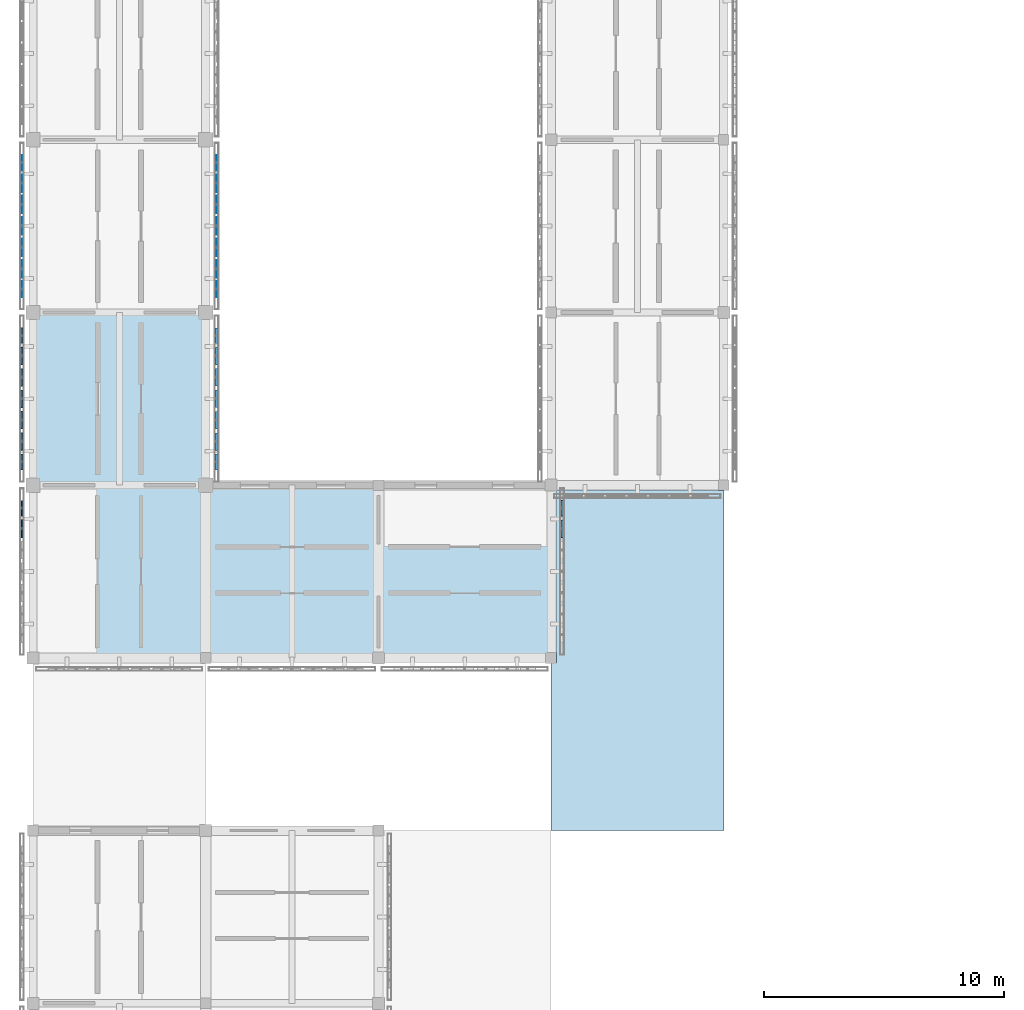
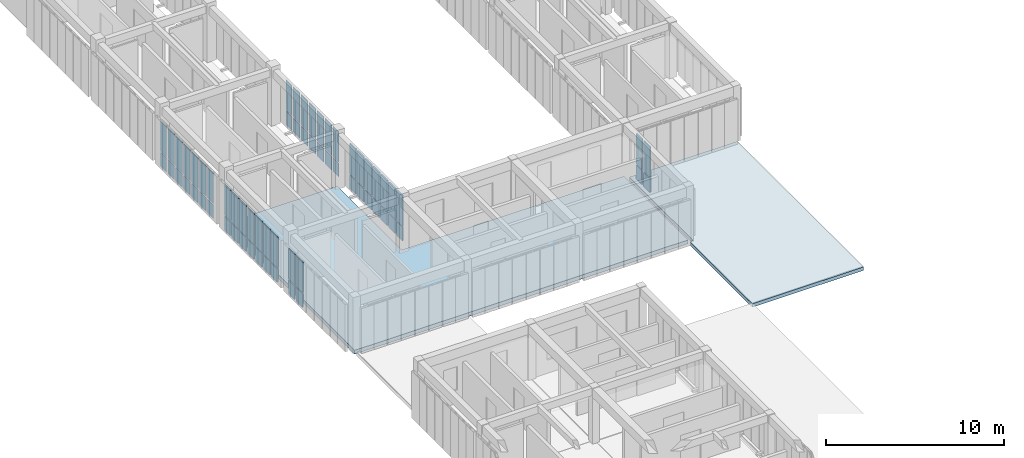
# One storey, part 38 of 67: 64 plates, 2 slabs, 6 elements without a shape of their own.
"""IFC4 building model written with IfcOpenShell, lengths in metres."""

import ifcopenshell
import ifcopenshell.guid

model = None  # the IFC model being written
_history = None  # IfcOwnerHistory: only IFC2X3 demands one
_inside = {}  # id of a spatial element -> (the spatial element, [elements in it])
_under = {}  # id of a project, library or spatial element -> (it, [spatial elements below it])
_declared = {}  # id of a project -> (the project, [libraries it declares])
_typed = {}  # id of a type object -> (the type object, [elements of that type])
_made_of = {}  # id of a material, layer set ... -> (it, [elements and type objects made of it])


def new_model(schema):
    """Start an empty IFC model of exactly this schema.

    Asked for "IFC4X3", IfcOpenShell would pick the latest addendum, in which some entities
    have other attributes; the version numbers below select the first issue.
    IFC2X3 requires an IfcOwnerHistory on every rooted entity: one is made here for all.
    """
    global model, _history
    if schema == "IFC4X3":
        model = ifcopenshell.file(schema_version=(4, 3, 0, 0))
    else:
        model = ifcopenshell.file(schema=schema)
    _inside.clear()
    _under.clear()
    _declared.clear()
    _typed.clear()
    _made_of.clear()
    _history = None
    if model.schema == "IFC2X3":
        org = make("IfcOrganization", Name="unknown")
        user = make(
            "IfcPersonAndOrganization",
            ThePerson=make("IfcPerson", FamilyName="unknown"),
            TheOrganization=org,
        )
        app = make(
            "IfcApplication",
            ApplicationDeveloper=org,
            Version="unknown",
            ApplicationFullName="unknown",
            ApplicationIdentifier="unknown",
        )
        _history = make(
            "IfcOwnerHistory",
            OwningUser=user,
            OwningApplication=app,
            ChangeAction="ADDED",
            CreationDate=0,
        )
    return model


def make(cls, **values):
    """One entity of the class cls with the attributes given. An attribute that is None is left unset."""
    return model.create_entity(
        cls, **{name: value for name, value in values.items() if value is not None}
    )


def rooted(cls, **values):
    """An entity with a GlobalId (a new one), such as an element, a storey or a relation."""
    return make(cls, GlobalId=ifcopenshell.guid.new(), OwnerHistory=_history, **values)


def si_unit(unit_type, name, prefix=None):
    """IfcSIUnit, for example si_unit("LENGTHUNIT", "METRE", prefix="MILLI")."""
    return make("IfcSIUnit", UnitType=unit_type, Prefix=prefix, Name=name)


def assignment(units):
    """IfcUnitAssignment: the units of a project."""
    return None if units is None else make("IfcUnitAssignment", Units=units)


def point(xyz):
    """IfcCartesianPoint."""
    return None if xyz is None else make("IfcCartesianPoint", Coordinates=xyz)


def direction(xyz):
    """IfcDirection."""
    return None if xyz is None else make("IfcDirection", DirectionRatios=xyz)


def frame(location, z_axis=None, x_axis=None):
    """IfcAxis2Placement3D, a coordinate frame: its origin and axes. An axis left out is left unset."""
    return make(
        "IfcAxis2Placement3D",
        Location=point(location),
        Axis=direction(z_axis),
        RefDirection=direction(x_axis),
    )


def frame_2d(location, x_axis=None):
    """IfcAxis2Placement2D, a coordinate frame in the plane: its origin and x axis."""
    return make(
        "IfcAxis2Placement2D", Location=point(location), RefDirection=direction(x_axis)
    )


def origin():
    """The frame at (0, 0, 0) with its axes left unset."""
    return frame((0.0, 0.0, 0.0))


def origin_2d():
    """The frame at (0, 0) in the plane with its x axis left unset."""
    return frame_2d((0.0, 0.0))


def place(relative_to, where):
    """IfcLocalPlacement: puts the frame where relative to a parent placement (None: the world)."""
    return make(
        "IfcLocalPlacement", PlacementRelTo=relative_to, RelativePlacement=where
    )


def context(
    kind, dimensions, precision=None, world=None, true_north=None, identifier=None
):
    """IfcGeometricRepresentationContext, for example the 3D "Model" context."""
    return make(
        "IfcGeometricRepresentationContext",
        ContextIdentifier=identifier,
        ContextType=kind,
        CoordinateSpaceDimension=dimensions,
        Precision=precision,
        WorldCoordinateSystem=world,
        TrueNorth=true_north,
    )


def subcontext(parent, identifier, kind, view, scale=None):
    """IfcGeometricRepresentationSubContext, for example "Body" below "Model"."""
    return make(
        "IfcGeometricRepresentationSubContext",
        ContextIdentifier=identifier,
        ContextType=kind,
        ParentContext=parent,
        TargetScale=scale,
        TargetView=view,
    )


def project(units=None, contexts=None):
    """IfcProject with its units and contexts."""
    return rooted(
        "IfcProject",
        Name="project",
        RepresentationContexts=contexts,
        UnitsInContext=assignment(units),
    )


def spatial(cls, under=None, at=None, **own):
    """A site, building, storey or space (cls), placed at a placement, below another one or the project."""
    s = rooted(cls, ObjectPlacement=at, **own)
    if under is not None:
        _under.setdefault(under.id(), (under, []))[1].append(s)
    return s


def polyline(points):
    """IfcPolyline through the points."""
    return make("IfcPolyline", Points=[point(p) for p in points])


def profile(cls, at=None, kind="AREA", **sizes):
    """A parametric profile (cls). Its sizes go by their IFC names, for example OverallWidth=200.0."""
    return make(cls, ProfileType=kind, Position=at, **sizes)


def rectangle(**sizes):
    """IfcRectangleProfileDef."""
    return profile("IfcRectangleProfileDef", **sizes)


def outline(outer, holes=None, kind="AREA"):
    """IfcArbitraryClosedProfileDef: a profile drawn as a closed curve; with holes, ...WithVoids."""
    if holes is None:
        return make("IfcArbitraryClosedProfileDef", ProfileType=kind, OuterCurve=outer)
    return make(
        "IfcArbitraryProfileDefWithVoids",
        ProfileType=kind,
        OuterCurve=outer,
        InnerCurves=holes,
    )


def extrude(swept, where, along, depth):
    """IfcExtrudedAreaSolid: the profile swept, set in the frame where, extruded along a direction by depth."""
    return make(
        "IfcExtrudedAreaSolid",
        SweptArea=swept,
        Position=where,
        ExtrudedDirection=direction(along),
        Depth=depth,
    )


def shape(context_of_items, identifier, shape_type, items):
    """IfcShapeRepresentation: the items that make up one representation, for example the "Body"."""
    return make(
        "IfcShapeRepresentation",
        ContextOfItems=context_of_items,
        RepresentationIdentifier=identifier,
        RepresentationType=shape_type,
        Items=items,
    )


def material(Name=None, Category=None):
    """IfcMaterial."""
    return make("IfcMaterial", Name=Name, Category=Category)


def layer(
    of_material, thickness, ventilated=None, Name=None, Category=None, Priority=None
):
    """IfcMaterialLayer: one layer of a wall or slab, of a material (None: an air gap)."""
    return make(
        "IfcMaterialLayer",
        Material=of_material,
        LayerThickness=thickness,
        IsVentilated=ventilated,
        Name=Name,
        Category=Category,
        Priority=Priority,
    )


def layer_set(layers, Name=None):
    """IfcMaterialLayerSet."""
    return make("IfcMaterialLayerSet", MaterialLayers=layers, LayerSetName=Name)


def made_of(thing, what):
    """Note that an element or type object is made of a material, layer set ...; save() writes the relation."""
    if what is not None:
        _made_of.setdefault(what.id(), (what, []))[1].append(thing)
    return thing


def type_object(cls, material=None, **own):
    """A type object (cls), such as IfcWallType, which elements share."""
    return made_of(rooted(cls, **own), material)


def element(
    cls,
    number,
    at=None,
    inside=None,
    cuts=None,
    type_object=None,
    material=None,
    context=None,
    identifier="Body",
    shape_type=None,
    held_by="IfcProductDefinitionShape",
    body=None,
    shapes=None,
    **own,
):
    """One element of the class cls, such as IfcWall. Its Tag is "e" and its number.

    at: its placement. inside: the storey or other place that contains it. cuts: it is an
    opening in that element (IfcRelVoidsElement). A single representation is given by context,
    identifier, shape_type and body (its items); several are given by shapes. held_by: the class
    of the entity that holds the representations. save() writes the other relations.
    """
    e = rooted(cls, Tag="e%d" % number, ObjectPlacement=at, **own)
    if body is not None:
        shapes = [shape(context, identifier, shape_type, body)]
    if shapes is not None:
        e.Representation = make(held_by, Representations=shapes)
    if inside is not None:
        _inside.setdefault(inside.id(), (inside, []))[1].append(e)
    if cuts is not None:
        rooted(
            "IfcRelVoidsElement", RelatingBuildingElement=cuts, RelatedOpeningElement=e
        )
    if type_object is not None:
        _typed.setdefault(type_object.id(), (type_object, []))[1].append(e)
    return made_of(e, material)


def aggregate(whole, parts):
    """IfcRelAggregates: a whole, such as a stair, and the parts it consists of."""
    return rooted("IfcRelAggregates", RelatingObject=whole, RelatedObjects=parts)


def save(model, path):
    """Write the relations noted so far, then the file.

    IfcRelAggregates (storeys below a building ...), IfcRelContainedInSpatialStructure (elements
    in a storey), IfcRelDefinesByType, IfcRelAssociatesMaterial and IfcRelDeclares: one each for
    every whole, place, type object, material and project.
    """
    for whole, parts in _under.values():
        aggregate(whole, parts)
    for where, things in _inside.values():
        rooted(
            "IfcRelContainedInSpatialStructure",
            RelatedElements=things,
            RelatingStructure=where,
        )
    for kind, things in _typed.values():
        rooted("IfcRelDefinesByType", RelatedObjects=things, RelatingType=kind)
    for what, things in _made_of.values():
        rooted("IfcRelAssociatesMaterial", RelatedObjects=things, RelatingMaterial=what)
    for by, libraries in _declared.values():
        rooted("IfcRelDeclares", RelatingContext=by, RelatedDefinitions=libraries)
    model.write(path)


model = new_model("IFC4")

# Units and contexts
model_context = context("Model", 3, precision=1e-05, world=origin(), true_north=direction((0.0, 1.0)))
body_context = subcontext(model_context, "Body", "Model", "MODEL_VIEW")
ifc_project = project(units=[si_unit("LENGTHUNIT", "METRE"), si_unit("AREAUNIT", "SQUARE_METRE"), si_unit("VOLUMEUNIT", "CUBIC_METRE"), si_unit("PLANEANGLEUNIT", "RADIAN"), si_unit("MASSUNIT", "GRAM", prefix="KILO")], contexts=[model_context])

# Site, building, storey
site_placement = place(None, origin())
site = spatial("IfcSite", under=ifc_project, at=site_placement, CompositionType="ELEMENT")
building_placement = place(site_placement, origin())
building = spatial("IfcBuilding", under=site, at=building_placement, Name="Aldebral Square Health Centre", CompositionType="ELEMENT")
storey_placement = place(building_placement, frame((0.0, 0.0, 13.5)))
storey = spatial("IfcBuildingStorey", under=building, at=storey_placement, Name="L03", CompositionType="ELEMENT", Elevation=13.5)

# Curtain wall, plates
ifc_material_1 = material(Name="Aluminium and low-E solar glass", Category="aluminium")
curtain_wall_type = type_object("IfcCurtainWallType", Name="CW-FIN-SYS", PredefinedType="USERDEFINED", material=ifc_material_1)
curtain_wall_1_placement = place(storey_placement, origin())
curtain_wall_1 = element("IfcCurtainWall", 1, at=curtain_wall_1_placement, inside=storey, type_object=curtain_wall_type, Name="L03 V4 finned curtain wall L03-V4-00-10-W", ObjectType="SOLAR_CURTAIN_WALL", PredefinedType="USERDEFINED")
ifc_material_2 = material(Name="Solar-control low-E double glass", Category="glass")
ifc_layer_1 = layer(ifc_material_2, 0.02001953125, Name="Solar-control low-E double glass", Category="glass")
ifc_layer_set_1 = layer_set([ifc_layer_1], Name="Solar-control low-E double glass")
plate_type_1 = type_object("IfcPlateType", Name="CWP-GLZ-1", PredefinedType="CURTAIN_PANEL", material=ifc_layer_set_1)
plate_1_placement = place(storey_placement, frame((-0.4599609375, 78.234375, 0.074951171875), z_axis=(0.0, 0.0, 1.0), x_axis=(0.0, -1.0, 0.0)))
plate_1 = element("IfcPlate", 2, at=plate_1_placement, type_object=plate_type_1, Name="CW1 panel 1.1", PredefinedType="CURTAIN_PANEL", context=body_context, shape_type="SweptSolid", body=[
    extrude(rectangle(XDim=0.6513671875, YDim=0.02001953125, at=origin_2d()), origin(), (0.0, 0.0, 1.0), 0.9375),
])
plate_2_placement = place(storey_placement, frame((-0.4599609375, 78.234375, 1.08740234375), z_axis=(0.0, 0.0, 1.0), x_axis=(0.0, -1.0, 0.0)))
plate_2 = element("IfcPlate", 3, at=plate_2_placement, type_object=plate_type_1, Name="CW1 panel 1.2", PredefinedType="CURTAIN_PANEL", context=body_context, shape_type="SweptSolid", body=[
    extrude(rectangle(XDim=0.6513671875, YDim=0.02001953125, at=origin_2d()), origin(), (0.0, 0.0, 1.0), 2.077392578125),
])
plate_3_placement = place(storey_placement, frame((-0.4599609375, 77.3828125, 0.074951171875), z_axis=(0.0, 0.0, 1.0), x_axis=(0.0, -1.0, 0.0)))
plate_3 = element("IfcPlate", 4, at=plate_3_placement, type_object=plate_type_1, Name="CW1 panel 2.1", PredefinedType="CURTAIN_PANEL", context=body_context, shape_type="SweptSolid", body=[
    extrude(rectangle(XDim=0.7314453125, YDim=0.02001953125, at=origin_2d()), origin(), (0.0, 0.0, 1.0), 0.9375),
])
plate_4_placement = place(storey_placement, frame((-0.4599609375, 77.3828125, 1.08740234375), z_axis=(0.0, 0.0, 1.0), x_axis=(0.0, -1.0, 0.0)))
plate_4 = element("IfcPlate", 5, at=plate_4_placement, type_object=plate_type_1, Name="CW1 panel 2.2", PredefinedType="CURTAIN_PANEL", context=body_context, shape_type="SweptSolid", body=[
    extrude(rectangle(XDim=0.7314453125, YDim=0.02001953125, at=origin_2d()), origin(), (0.0, 0.0, 1.0), 2.077392578125),
])
plate_5_placement = place(storey_placement, frame((-0.4599609375, 76.491455078125, 0.074951171875), z_axis=(0.0, 0.0, 1.0), x_axis=(0.0, -1.0, 0.0)))
plate_5 = element("IfcPlate", 6, at=plate_5_placement, type_object=plate_type_1, Name="CW1 panel 3.1", PredefinedType="CURTAIN_PANEL", context=body_context, shape_type="SweptSolid", body=[
    extrude(rectangle(XDim=0.7314453125, YDim=0.02001953125, at=origin_2d()), origin(), (0.0, 0.0, 1.0), 0.9375),
])
plate_6_placement = place(storey_placement, frame((-0.4599609375, 76.491455078125, 1.08740234375), z_axis=(0.0, 0.0, 1.0), x_axis=(0.0, -1.0, 0.0)))
plate_6 = element("IfcPlate", 7, at=plate_6_placement, type_object=plate_type_1, Name="CW1 panel 3.2", PredefinedType="CURTAIN_PANEL", context=body_context, shape_type="SweptSolid", body=[
    extrude(rectangle(XDim=0.7314453125, YDim=0.02001953125, at=origin_2d()), origin(), (0.0, 0.0, 1.0), 2.077392578125),
])
plate_7_placement = place(storey_placement, frame((-0.4599609375, 75.60009765625, 0.074951171875), z_axis=(0.0, 0.0, 1.0), x_axis=(0.0, -1.0, 0.0)))
plate_7 = element("IfcPlate", 8, at=plate_7_placement, type_object=plate_type_1, Name="CW1 panel 4.1", PredefinedType="CURTAIN_PANEL", context=body_context, shape_type="SweptSolid", body=[
    extrude(rectangle(XDim=0.7314453125, YDim=0.02001953125, at=origin_2d()), origin(), (0.0, 0.0, 1.0), 0.9375),
])
plate_8_placement = place(storey_placement, frame((-0.4599609375, 75.60009765625, 1.08740234375), z_axis=(0.0, 0.0, 1.0), x_axis=(0.0, -1.0, 0.0)))
plate_8 = element("IfcPlate", 9, at=plate_8_placement, type_object=plate_type_1, Name="CW1 panel 4.2", PredefinedType="CURTAIN_PANEL", context=body_context, shape_type="SweptSolid", body=[
    extrude(rectangle(XDim=0.7314453125, YDim=0.02001953125, at=origin_2d()), origin(), (0.0, 0.0, 1.0), 2.077392578125),
])
plate_9_placement = place(storey_placement, frame((-0.4599609375, 74.70849609375, 0.074951171875), z_axis=(0.0, 0.0, 1.0), x_axis=(0.0, -1.0, 0.0)))
plate_9 = element("IfcPlate", 10, at=plate_9_placement, type_object=plate_type_1, Name="CW1 panel 5.1", PredefinedType="CURTAIN_PANEL", context=body_context, shape_type="SweptSolid", body=[
    extrude(rectangle(XDim=0.7314453125, YDim=0.02001953125, at=origin_2d()), origin(), (0.0, 0.0, 1.0), 0.9375),
])
plate_10_placement = place(storey_placement, frame((-0.4599609375, 74.70849609375, 1.08740234375), z_axis=(0.0, 0.0, 1.0), x_axis=(0.0, -1.0, 0.0)))
plate_10 = element("IfcPlate", 11, at=plate_10_placement, type_object=plate_type_1, Name="CW1 panel 5.2", PredefinedType="CURTAIN_PANEL", context=body_context, shape_type="SweptSolid", body=[
    extrude(rectangle(XDim=0.7314453125, YDim=0.02001953125, at=origin_2d()), origin(), (0.0, 0.0, 1.0), 2.077392578125),
])
plate_11_placement = place(storey_placement, frame((-0.4599609375, 73.817138671875, 0.074951171875), z_axis=(0.0, 0.0, 1.0), x_axis=(0.0, -1.0, 0.0)))
plate_11 = element("IfcPlate", 12, at=plate_11_placement, type_object=plate_type_1, Name="CW1 panel 6.1", PredefinedType="CURTAIN_PANEL", context=body_context, shape_type="SweptSolid", body=[
    extrude(rectangle(XDim=0.7314453125, YDim=0.02001953125, at=origin_2d()), origin(), (0.0, 0.0, 1.0), 0.9375),
])
plate_12_placement = place(storey_placement, frame((-0.4599609375, 73.817138671875, 1.08740234375), z_axis=(0.0, 0.0, 1.0), x_axis=(0.0, -1.0, 0.0)))
plate_12 = element("IfcPlate", 13, at=plate_12_placement, type_object=plate_type_1, Name="CW1 panel 6.2", PredefinedType="CURTAIN_PANEL", context=body_context, shape_type="SweptSolid", body=[
    extrude(rectangle(XDim=0.7314453125, YDim=0.02001953125, at=origin_2d()), origin(), (0.0, 0.0, 1.0), 2.077392578125),
])
plate_13_placement = place(storey_placement, frame((-0.4599609375, 72.9658203125, 0.074951171875), z_axis=(0.0, 0.0, 1.0), x_axis=(0.0, -1.0, 0.0)))
plate_13 = element("IfcPlate", 14, at=plate_13_placement, type_object=plate_type_1, Name="CW1 panel 7.1", PredefinedType="CURTAIN_PANEL", context=body_context, shape_type="SweptSolid", body=[
    extrude(rectangle(XDim=0.6513671875, YDim=0.02001953125, at=origin_2d()), origin(), (0.0, 0.0, 1.0), 0.9375),
])
plate_14_placement = place(storey_placement, frame((-0.4599609375, 72.9658203125, 1.08740234375), z_axis=(0.0, 0.0, 1.0), x_axis=(0.0, -1.0, 0.0)))
plate_14 = element("IfcPlate", 15, at=plate_14_placement, type_object=plate_type_1, Name="CW1 panel 7.2", PredefinedType="CURTAIN_PANEL", context=body_context, shape_type="SweptSolid", body=[
    extrude(rectangle(XDim=0.6513671875, YDim=0.02001953125, at=origin_2d()), origin(), (0.0, 0.0, 1.0), 2.077392578125),
])
aggregate(curtain_wall_1, [plate_1, plate_2, plate_3, plate_4, plate_5, plate_6, plate_7, plate_8, plate_9, plate_10, plate_11, plate_12, plate_13, plate_14])

curtain_wall_2_placement = place(storey_placement, origin())
curtain_wall_2 = element("IfcCurtainWall", 16, at=curtain_wall_2_placement, inside=storey, type_object=curtain_wall_type, Name="L03 V4 finned curtain wall L03-V4-00-10-E", ObjectType="SOLAR_CURTAIN_WALL", PredefinedType="USERDEFINED")
ifc_layer_2 = layer(ifc_material_2, 0.030029296875, Name="Solar-control low-E double glass", Category="glass")
ifc_layer_set_2 = layer_set([ifc_layer_2], Name="Solar-control low-E double glass")
plate_type_2 = type_object("IfcPlateType", Name="CWP-GLZ-2", PredefinedType="CURTAIN_PANEL", material=ifc_layer_set_2)
plate_15_placement = place(storey_placement, frame((7.659912109375, 72.9658203125, 0.074951171875), z_axis=(0.0, 0.0, 1.0), x_axis=(0.0, 1.0, 0.0)))
plate_15 = element("IfcPlate", 17, at=plate_15_placement, type_object=plate_type_2, Name="CW1 panel 1.1", PredefinedType="CURTAIN_PANEL", context=body_context, shape_type="SweptSolid", body=[
    extrude(rectangle(XDim=0.6513671875, YDim=0.030029296875, at=origin_2d()), origin(), (0.0, 0.0, 1.0), 0.9375),
])
plate_16_placement = place(storey_placement, frame((7.659912109375, 72.9658203125, 1.08740234375), z_axis=(0.0, 0.0, 1.0), x_axis=(0.0, 1.0, 0.0)))
plate_16 = element("IfcPlate", 18, at=plate_16_placement, type_object=plate_type_2, Name="CW1 panel 1.2", PredefinedType="CURTAIN_PANEL", context=body_context, shape_type="SweptSolid", body=[
    extrude(rectangle(XDim=0.6513671875, YDim=0.030029296875, at=origin_2d()), origin(), (0.0, 0.0, 1.0), 2.077392578125),
])
plate_17_placement = place(storey_placement, frame((7.659912109375, 73.817138671875, 0.074951171875), z_axis=(0.0, 0.0, 1.0), x_axis=(0.0, 1.0, 0.0)))
plate_17 = element("IfcPlate", 19, at=plate_17_placement, type_object=plate_type_2, Name="CW1 panel 2.1", PredefinedType="CURTAIN_PANEL", context=body_context, shape_type="SweptSolid", body=[
    extrude(rectangle(XDim=0.7314453125, YDim=0.030029296875, at=origin_2d()), origin(), (0.0, 0.0, 1.0), 0.9375),
])
plate_18_placement = place(storey_placement, frame((7.659912109375, 73.817138671875, 1.08740234375), z_axis=(0.0, 0.0, 1.0), x_axis=(0.0, 1.0, 0.0)))
plate_18 = element("IfcPlate", 20, at=plate_18_placement, type_object=plate_type_2, Name="CW1 panel 2.2", PredefinedType="CURTAIN_PANEL", context=body_context, shape_type="SweptSolid", body=[
    extrude(rectangle(XDim=0.7314453125, YDim=0.030029296875, at=origin_2d()), origin(), (0.0, 0.0, 1.0), 2.077392578125),
])
plate_19_placement = place(storey_placement, frame((7.659912109375, 74.70849609375, 0.074951171875), z_axis=(0.0, 0.0, 1.0), x_axis=(0.0, 1.0, 0.0)))
plate_19 = element("IfcPlate", 21, at=plate_19_placement, type_object=plate_type_2, Name="CW1 panel 3.1", PredefinedType="CURTAIN_PANEL", context=body_context, shape_type="SweptSolid", body=[
    extrude(rectangle(XDim=0.7314453125, YDim=0.030029296875, at=origin_2d()), origin(), (0.0, 0.0, 1.0), 0.9375),
])
plate_20_placement = place(storey_placement, frame((7.659912109375, 74.70849609375, 1.08740234375), z_axis=(0.0, 0.0, 1.0), x_axis=(0.0, 1.0, 0.0)))
plate_20 = element("IfcPlate", 22, at=plate_20_placement, type_object=plate_type_2, Name="CW1 panel 3.2", PredefinedType="CURTAIN_PANEL", context=body_context, shape_type="SweptSolid", body=[
    extrude(rectangle(XDim=0.7314453125, YDim=0.030029296875, at=origin_2d()), origin(), (0.0, 0.0, 1.0), 2.077392578125),
])
plate_21_placement = place(storey_placement, frame((7.659912109375, 75.60009765625, 0.074951171875), z_axis=(0.0, 0.0, 1.0), x_axis=(0.0, 1.0, 0.0)))
plate_21 = element("IfcPlate", 23, at=plate_21_placement, type_object=plate_type_2, Name="CW1 panel 4.1", PredefinedType="CURTAIN_PANEL", context=body_context, shape_type="SweptSolid", body=[
    extrude(rectangle(XDim=0.7314453125, YDim=0.030029296875, at=origin_2d()), origin(), (0.0, 0.0, 1.0), 0.9375),
])
plate_22_placement = place(storey_placement, frame((7.659912109375, 75.60009765625, 1.08740234375), z_axis=(0.0, 0.0, 1.0), x_axis=(0.0, 1.0, 0.0)))
plate_22 = element("IfcPlate", 24, at=plate_22_placement, type_object=plate_type_2, Name="CW1 panel 4.2", PredefinedType="CURTAIN_PANEL", context=body_context, shape_type="SweptSolid", body=[
    extrude(rectangle(XDim=0.7314453125, YDim=0.030029296875, at=origin_2d()), origin(), (0.0, 0.0, 1.0), 2.077392578125),
])
plate_23_placement = place(storey_placement, frame((7.659912109375, 76.491455078125, 0.074951171875), z_axis=(0.0, 0.0, 1.0), x_axis=(0.0, 1.0, 0.0)))
plate_23 = element("IfcPlate", 25, at=plate_23_placement, type_object=plate_type_2, Name="CW1 panel 5.1", PredefinedType="CURTAIN_PANEL", context=body_context, shape_type="SweptSolid", body=[
    extrude(rectangle(XDim=0.7314453125, YDim=0.030029296875, at=origin_2d()), origin(), (0.0, 0.0, 1.0), 0.9375),
])
plate_24_placement = place(storey_placement, frame((7.659912109375, 76.491455078125, 1.08740234375), z_axis=(0.0, 0.0, 1.0), x_axis=(0.0, 1.0, 0.0)))
plate_24 = element("IfcPlate", 26, at=plate_24_placement, type_object=plate_type_2, Name="CW1 panel 5.2", PredefinedType="CURTAIN_PANEL", context=body_context, shape_type="SweptSolid", body=[
    extrude(rectangle(XDim=0.7314453125, YDim=0.030029296875, at=origin_2d()), origin(), (0.0, 0.0, 1.0), 2.077392578125),
])
plate_25_placement = place(storey_placement, frame((7.659912109375, 77.3828125, 0.074951171875), z_axis=(0.0, 0.0, 1.0), x_axis=(0.0, 1.0, 0.0)))
plate_25 = element("IfcPlate", 27, at=plate_25_placement, type_object=plate_type_2, Name="CW1 panel 6.1", PredefinedType="CURTAIN_PANEL", context=body_context, shape_type="SweptSolid", body=[
    extrude(rectangle(XDim=0.7314453125, YDim=0.030029296875, at=origin_2d()), origin(), (0.0, 0.0, 1.0), 0.9375),
])
plate_26_placement = place(storey_placement, frame((7.659912109375, 77.3828125, 1.08740234375), z_axis=(0.0, 0.0, 1.0), x_axis=(0.0, 1.0, 0.0)))
plate_26 = element("IfcPlate", 28, at=plate_26_placement, type_object=plate_type_2, Name="CW1 panel 6.2", PredefinedType="CURTAIN_PANEL", context=body_context, shape_type="SweptSolid", body=[
    extrude(rectangle(XDim=0.7314453125, YDim=0.030029296875, at=origin_2d()), origin(), (0.0, 0.0, 1.0), 2.077392578125),
])
plate_27_placement = place(storey_placement, frame((7.659912109375, 78.234375, 0.074951171875), z_axis=(0.0, 0.0, 1.0), x_axis=(0.0, 1.0, 0.0)))
plate_27 = element("IfcPlate", 29, at=plate_27_placement, type_object=plate_type_2, Name="CW1 panel 7.1", PredefinedType="CURTAIN_PANEL", context=body_context, shape_type="SweptSolid", body=[
    extrude(rectangle(XDim=0.6513671875, YDim=0.030029296875, at=origin_2d()), origin(), (0.0, 0.0, 1.0), 0.9375),
])
plate_28_placement = place(storey_placement, frame((7.659912109375, 78.234375, 1.08740234375), z_axis=(0.0, 0.0, 1.0), x_axis=(0.0, 1.0, 0.0)))
plate_28 = element("IfcPlate", 30, at=plate_28_placement, type_object=plate_type_2, Name="CW1 panel 7.2", PredefinedType="CURTAIN_PANEL", context=body_context, shape_type="SweptSolid", body=[
    extrude(rectangle(XDim=0.6513671875, YDim=0.030029296875, at=origin_2d()), origin(), (0.0, 0.0, 1.0), 2.077392578125),
])
aggregate(curtain_wall_2, [plate_15, plate_16, plate_17, plate_18, plate_19, plate_20, plate_21, plate_22, plate_23, plate_24, plate_25, plate_26, plate_27, plate_28])

curtain_wall_3_placement = place(storey_placement, origin())
curtain_wall_3 = element("IfcCurtainWall", 31, at=curtain_wall_3_placement, inside=storey, type_object=curtain_wall_type, Name="L03 V4 finned curtain wall L03-V4-00-08-W", ObjectType="SOLAR_CURTAIN_WALL", PredefinedType="USERDEFINED")
ifc_layer_3 = layer(ifc_material_2, 0.070068359375, Name="Solar-control low-E double glass", Category="glass")
ifc_layer_set_3 = layer_set([ifc_layer_3], Name="Solar-control low-E double glass")
plate_type_3 = type_object("IfcPlateType", Name="CWP-GLZ-6", PredefinedType="CURTAIN_PANEL", material=ifc_layer_set_3)
plate_29_placement = place(storey_placement, frame((-0.4599609375, 63.834228515625, 0.074951171875), z_axis=(0.0, 0.0, 1.0), x_axis=(0.0, -1.0, 0.0)))
plate_29 = element("IfcPlate", 32, at=plate_29_placement, type_object=plate_type_3, Name="CW1 panel 1.1", PredefinedType="CURTAIN_PANEL", context=body_context, shape_type="SweptSolid", body=[
    extrude(rectangle(XDim=0.6513671875, YDim=0.070068359375, at=origin_2d()), origin(), (0.0, 0.0, 1.0), 0.9375),
])
plate_30_placement = place(storey_placement, frame((-0.4599609375, 63.834228515625, 1.08740234375), z_axis=(0.0, 0.0, 1.0), x_axis=(0.0, -1.0, 0.0)))
plate_30 = element("IfcPlate", 33, at=plate_30_placement, type_object=plate_type_3, Name="CW1 panel 1.2", PredefinedType="CURTAIN_PANEL", context=body_context, shape_type="SweptSolid", body=[
    extrude(rectangle(XDim=0.6513671875, YDim=0.070068359375, at=origin_2d()), origin(), (0.0, 0.0, 1.0), 2.077392578125),
])
plate_31_placement = place(storey_placement, frame((-0.4599609375, 62.98291015625, 0.074951171875), z_axis=(0.0, 0.0, 1.0), x_axis=(0.0, -1.0, 0.0)))
plate_31 = element("IfcPlate", 34, at=plate_31_placement, type_object=plate_type_3, Name="CW1 panel 2.1", PredefinedType="CURTAIN_PANEL", context=body_context, shape_type="SweptSolid", body=[
    extrude(rectangle(XDim=0.7314453125, YDim=0.070068359375, at=origin_2d()), origin(), (0.0, 0.0, 1.0), 0.9375),
])
plate_32_placement = place(storey_placement, frame((-0.4599609375, 62.98291015625, 1.08740234375), z_axis=(0.0, 0.0, 1.0), x_axis=(0.0, -1.0, 0.0)))
plate_32 = element("IfcPlate", 35, at=plate_32_placement, type_object=plate_type_3, Name="CW1 panel 2.2", PredefinedType="CURTAIN_PANEL", context=body_context, shape_type="SweptSolid", body=[
    extrude(rectangle(XDim=0.7314453125, YDim=0.070068359375, at=origin_2d()), origin(), (0.0, 0.0, 1.0), 2.077392578125),
])
aggregate(curtain_wall_3, [plate_29, plate_30, plate_31, plate_32])

curtain_wall_4_placement = place(storey_placement, origin())
curtain_wall_4 = element("IfcCurtainWall", 36, at=curtain_wall_4_placement, inside=storey, type_object=curtain_wall_type, Name="L03 V4 finned curtain wall L03-V4-00-09-W", ObjectType="SOLAR_CURTAIN_WALL", PredefinedType="USERDEFINED")
ifc_layer_4 = layer(ifc_material_2, 0.080078125, Name="Solar-control low-E double glass", Category="glass")
ifc_layer_set_4 = layer_set([ifc_layer_4], Name="Solar-control low-E double glass")
plate_type_4 = type_object("IfcPlateType", Name="CWP-GLZ-7", PredefinedType="CURTAIN_PANEL", material=ifc_layer_set_4)
plate_33_placement = place(storey_placement, frame((-0.4599609375, 71.0341796875, 0.074951171875), z_axis=(0.0, 0.0, 1.0), x_axis=(0.0, -1.0, 0.0)))
plate_33 = element("IfcPlate", 37, at=plate_33_placement, type_object=plate_type_4, Name="CW1 panel 1.1", PredefinedType="CURTAIN_PANEL", context=body_context, shape_type="SweptSolid", body=[
    extrude(rectangle(XDim=0.6513671875, YDim=0.080078125, at=origin_2d()), origin(), (0.0, 0.0, 1.0), 0.9375),
])
plate_34_placement = place(storey_placement, frame((-0.4599609375, 71.0341796875, 1.08740234375), z_axis=(0.0, 0.0, 1.0), x_axis=(0.0, -1.0, 0.0)))
plate_34 = element("IfcPlate", 38, at=plate_34_placement, type_object=plate_type_4, Name="CW1 panel 1.2", PredefinedType="CURTAIN_PANEL", context=body_context, shape_type="SweptSolid", body=[
    extrude(rectangle(XDim=0.6513671875, YDim=0.080078125, at=origin_2d()), origin(), (0.0, 0.0, 1.0), 2.077392578125),
])
plate_35_placement = place(storey_placement, frame((-0.4599609375, 70.182861328125, 0.074951171875), z_axis=(0.0, 0.0, 1.0), x_axis=(0.0, -1.0, 0.0)))
plate_35 = element("IfcPlate", 39, at=plate_35_placement, type_object=plate_type_4, Name="CW1 panel 2.1", PredefinedType="CURTAIN_PANEL", context=body_context, shape_type="SweptSolid", body=[
    extrude(rectangle(XDim=0.7314453125, YDim=0.080078125, at=origin_2d()), origin(), (0.0, 0.0, 1.0), 0.9375),
])
plate_36_placement = place(storey_placement, frame((-0.4599609375, 70.182861328125, 1.08740234375), z_axis=(0.0, 0.0, 1.0), x_axis=(0.0, -1.0, 0.0)))
plate_36 = element("IfcPlate", 40, at=plate_36_placement, type_object=plate_type_4, Name="CW1 panel 2.2", PredefinedType="CURTAIN_PANEL", context=body_context, shape_type="SweptSolid", body=[
    extrude(rectangle(XDim=0.7314453125, YDim=0.080078125, at=origin_2d()), origin(), (0.0, 0.0, 1.0), 2.077392578125),
])
plate_37_placement = place(storey_placement, frame((-0.4599609375, 69.29150390625, 0.074951171875), z_axis=(0.0, 0.0, 1.0), x_axis=(0.0, -1.0, 0.0)))
plate_37 = element("IfcPlate", 41, at=plate_37_placement, type_object=plate_type_4, Name="CW1 panel 3.1", PredefinedType="CURTAIN_PANEL", context=body_context, shape_type="SweptSolid", body=[
    extrude(rectangle(XDim=0.7314453125, YDim=0.080078125, at=origin_2d()), origin(), (0.0, 0.0, 1.0), 0.9375),
])
plate_38_placement = place(storey_placement, frame((-0.4599609375, 69.29150390625, 1.08740234375), z_axis=(0.0, 0.0, 1.0), x_axis=(0.0, -1.0, 0.0)))
plate_38 = element("IfcPlate", 42, at=plate_38_placement, type_object=plate_type_4, Name="CW1 panel 3.2", PredefinedType="CURTAIN_PANEL", context=body_context, shape_type="SweptSolid", body=[
    extrude(rectangle(XDim=0.7314453125, YDim=0.080078125, at=origin_2d()), origin(), (0.0, 0.0, 1.0), 2.077392578125),
])
plate_39_placement = place(storey_placement, frame((-0.4599609375, 68.39990234375, 0.074951171875), z_axis=(0.0, 0.0, 1.0), x_axis=(0.0, -1.0, 0.0)))
plate_39 = element("IfcPlate", 43, at=plate_39_placement, type_object=plate_type_4, Name="CW1 panel 4.1", PredefinedType="CURTAIN_PANEL", context=body_context, shape_type="SweptSolid", body=[
    extrude(rectangle(XDim=0.7314453125, YDim=0.080078125, at=origin_2d()), origin(), (0.0, 0.0, 1.0), 0.9375),
])
plate_40_placement = place(storey_placement, frame((-0.4599609375, 68.39990234375, 1.08740234375), z_axis=(0.0, 0.0, 1.0), x_axis=(0.0, -1.0, 0.0)))
plate_40 = element("IfcPlate", 44, at=plate_40_placement, type_object=plate_type_4, Name="CW1 panel 4.2", PredefinedType="CURTAIN_PANEL", context=body_context, shape_type="SweptSolid", body=[
    extrude(rectangle(XDim=0.7314453125, YDim=0.080078125, at=origin_2d()), origin(), (0.0, 0.0, 1.0), 2.077392578125),
])
plate_41_placement = place(storey_placement, frame((-0.4599609375, 67.508544921875, 0.074951171875), z_axis=(0.0, 0.0, 1.0), x_axis=(0.0, -1.0, 0.0)))
plate_41 = element("IfcPlate", 45, at=plate_41_placement, type_object=plate_type_4, Name="CW1 panel 5.1", PredefinedType="CURTAIN_PANEL", context=body_context, shape_type="SweptSolid", body=[
    extrude(rectangle(XDim=0.7314453125, YDim=0.080078125, at=origin_2d()), origin(), (0.0, 0.0, 1.0), 0.9375),
])
plate_42_placement = place(storey_placement, frame((-0.4599609375, 67.508544921875, 1.08740234375), z_axis=(0.0, 0.0, 1.0), x_axis=(0.0, -1.0, 0.0)))
plate_42 = element("IfcPlate", 46, at=plate_42_placement, type_object=plate_type_4, Name="CW1 panel 5.2", PredefinedType="CURTAIN_PANEL", context=body_context, shape_type="SweptSolid", body=[
    extrude(rectangle(XDim=0.7314453125, YDim=0.080078125, at=origin_2d()), origin(), (0.0, 0.0, 1.0), 2.077392578125),
])
plate_43_placement = place(storey_placement, frame((-0.4599609375, 66.6171875, 0.074951171875), z_axis=(0.0, 0.0, 1.0), x_axis=(0.0, -1.0, 0.0)))
plate_43 = element("IfcPlate", 47, at=plate_43_placement, type_object=plate_type_4, Name="CW1 panel 6.1", PredefinedType="CURTAIN_PANEL", context=body_context, shape_type="SweptSolid", body=[
    extrude(rectangle(XDim=0.7314453125, YDim=0.080078125, at=origin_2d()), origin(), (0.0, 0.0, 1.0), 0.9375),
])
plate_44_placement = place(storey_placement, frame((-0.4599609375, 66.6171875, 1.08740234375), z_axis=(0.0, 0.0, 1.0), x_axis=(0.0, -1.0, 0.0)))
plate_44 = element("IfcPlate", 48, at=plate_44_placement, type_object=plate_type_4, Name="CW1 panel 6.2", PredefinedType="CURTAIN_PANEL", context=body_context, shape_type="SweptSolid", body=[
    extrude(rectangle(XDim=0.7314453125, YDim=0.080078125, at=origin_2d()), origin(), (0.0, 0.0, 1.0), 2.077392578125),
])
plate_45_placement = place(storey_placement, frame((-0.4599609375, 65.765625, 0.074951171875), z_axis=(0.0, 0.0, 1.0), x_axis=(0.0, -1.0, 0.0)))
plate_45 = element("IfcPlate", 49, at=plate_45_placement, type_object=plate_type_4, Name="CW1 panel 7.1", PredefinedType="CURTAIN_PANEL", context=body_context, shape_type="SweptSolid", body=[
    extrude(rectangle(XDim=0.6513671875, YDim=0.080078125, at=origin_2d()), origin(), (0.0, 0.0, 1.0), 0.9375),
])
plate_46_placement = place(storey_placement, frame((-0.4599609375, 65.765625, 1.08740234375), z_axis=(0.0, 0.0, 1.0), x_axis=(0.0, -1.0, 0.0)))
plate_46 = element("IfcPlate", 50, at=plate_46_placement, type_object=plate_type_4, Name="CW1 panel 7.2", PredefinedType="CURTAIN_PANEL", context=body_context, shape_type="SweptSolid", body=[
    extrude(rectangle(XDim=0.6513671875, YDim=0.080078125, at=origin_2d()), origin(), (0.0, 0.0, 1.0), 2.077392578125),
])
aggregate(curtain_wall_4, [plate_33, plate_34, plate_35, plate_36, plate_37, plate_38, plate_39, plate_40, plate_41, plate_42, plate_43, plate_44, plate_45, plate_46])

curtain_wall_5_placement = place(storey_placement, origin())
curtain_wall_5 = element("IfcCurtainWall", 51, at=curtain_wall_5_placement, inside=storey, type_object=curtain_wall_type, Name="L03 V4 finned curtain wall L03-V4-00-09-E", ObjectType="SOLAR_CURTAIN_WALL", PredefinedType="USERDEFINED")
ifc_layer_5 = layer(ifc_material_2, 0.090087890625, Name="Solar-control low-E double glass", Category="glass")
ifc_layer_set_5 = layer_set([ifc_layer_5], Name="Solar-control low-E double glass")
plate_type_5 = type_object("IfcPlateType", Name="CWP-GLZ-8", PredefinedType="CURTAIN_PANEL", material=ifc_layer_set_5)
plate_47_placement = place(storey_placement, frame((7.659912109375, 65.765625, 0.074951171875), z_axis=(0.0, 0.0, 1.0), x_axis=(0.0, 1.0, 0.0)))
plate_47 = element("IfcPlate", 52, at=plate_47_placement, type_object=plate_type_5, Name="CW1 panel 1.1", PredefinedType="CURTAIN_PANEL", context=body_context, shape_type="SweptSolid", body=[
    extrude(rectangle(XDim=0.6513671875, YDim=0.090087890625, at=origin_2d()), origin(), (0.0, 0.0, 1.0), 0.9375),
])
plate_48_placement = place(storey_placement, frame((7.659912109375, 65.765625, 1.08740234375), z_axis=(0.0, 0.0, 1.0), x_axis=(0.0, 1.0, 0.0)))
plate_48 = element("IfcPlate", 53, at=plate_48_placement, type_object=plate_type_5, Name="CW1 panel 1.2", PredefinedType="CURTAIN_PANEL", context=body_context, shape_type="SweptSolid", body=[
    extrude(rectangle(XDim=0.6513671875, YDim=0.090087890625, at=origin_2d()), origin(), (0.0, 0.0, 1.0), 2.077392578125),
])
plate_49_placement = place(storey_placement, frame((7.659912109375, 66.6171875, 0.074951171875), z_axis=(0.0, 0.0, 1.0), x_axis=(0.0, 1.0, 0.0)))
plate_49 = element("IfcPlate", 54, at=plate_49_placement, type_object=plate_type_5, Name="CW1 panel 2.1", PredefinedType="CURTAIN_PANEL", context=body_context, shape_type="SweptSolid", body=[
    extrude(rectangle(XDim=0.7314453125, YDim=0.090087890625, at=origin_2d()), origin(), (0.0, 0.0, 1.0), 0.9375),
])
plate_50_placement = place(storey_placement, frame((7.659912109375, 66.6171875, 1.08740234375), z_axis=(0.0, 0.0, 1.0), x_axis=(0.0, 1.0, 0.0)))
plate_50 = element("IfcPlate", 55, at=plate_50_placement, type_object=plate_type_5, Name="CW1 panel 2.2", PredefinedType="CURTAIN_PANEL", context=body_context, shape_type="SweptSolid", body=[
    extrude(rectangle(XDim=0.7314453125, YDim=0.090087890625, at=origin_2d()), origin(), (0.0, 0.0, 1.0), 2.077392578125),
])
plate_51_placement = place(storey_placement, frame((7.659912109375, 67.508544921875, 0.074951171875), z_axis=(0.0, 0.0, 1.0), x_axis=(0.0, 1.0, 0.0)))
plate_51 = element("IfcPlate", 56, at=plate_51_placement, type_object=plate_type_5, Name="CW1 panel 3.1", PredefinedType="CURTAIN_PANEL", context=body_context, shape_type="SweptSolid", body=[
    extrude(rectangle(XDim=0.7314453125, YDim=0.090087890625, at=origin_2d()), origin(), (0.0, 0.0, 1.0), 0.9375),
])
plate_52_placement = place(storey_placement, frame((7.659912109375, 67.508544921875, 1.08740234375), z_axis=(0.0, 0.0, 1.0), x_axis=(0.0, 1.0, 0.0)))
plate_52 = element("IfcPlate", 57, at=plate_52_placement, type_object=plate_type_5, Name="CW1 panel 3.2", PredefinedType="CURTAIN_PANEL", context=body_context, shape_type="SweptSolid", body=[
    extrude(rectangle(XDim=0.7314453125, YDim=0.090087890625, at=origin_2d()), origin(), (0.0, 0.0, 1.0), 2.077392578125),
])
plate_53_placement = place(storey_placement, frame((7.659912109375, 68.39990234375, 0.074951171875), z_axis=(0.0, 0.0, 1.0), x_axis=(0.0, 1.0, 0.0)))
plate_53 = element("IfcPlate", 58, at=plate_53_placement, type_object=plate_type_5, Name="CW1 panel 4.1", PredefinedType="CURTAIN_PANEL", context=body_context, shape_type="SweptSolid", body=[
    extrude(rectangle(XDim=0.7314453125, YDim=0.090087890625, at=origin_2d()), origin(), (0.0, 0.0, 1.0), 0.9375),
])
plate_54_placement = place(storey_placement, frame((7.659912109375, 68.39990234375, 1.08740234375), z_axis=(0.0, 0.0, 1.0), x_axis=(0.0, 1.0, 0.0)))
plate_54 = element("IfcPlate", 59, at=plate_54_placement, type_object=plate_type_5, Name="CW1 panel 4.2", PredefinedType="CURTAIN_PANEL", context=body_context, shape_type="SweptSolid", body=[
    extrude(rectangle(XDim=0.7314453125, YDim=0.090087890625, at=origin_2d()), origin(), (0.0, 0.0, 1.0), 2.077392578125),
])
plate_55_placement = place(storey_placement, frame((7.659912109375, 69.29150390625, 0.074951171875), z_axis=(0.0, 0.0, 1.0), x_axis=(0.0, 1.0, 0.0)))
plate_55 = element("IfcPlate", 60, at=plate_55_placement, type_object=plate_type_5, Name="CW1 panel 5.1", PredefinedType="CURTAIN_PANEL", context=body_context, shape_type="SweptSolid", body=[
    extrude(rectangle(XDim=0.7314453125, YDim=0.090087890625, at=origin_2d()), origin(), (0.0, 0.0, 1.0), 0.9375),
])
plate_56_placement = place(storey_placement, frame((7.659912109375, 69.29150390625, 1.08740234375), z_axis=(0.0, 0.0, 1.0), x_axis=(0.0, 1.0, 0.0)))
plate_56 = element("IfcPlate", 61, at=plate_56_placement, type_object=plate_type_5, Name="CW1 panel 5.2", PredefinedType="CURTAIN_PANEL", context=body_context, shape_type="SweptSolid", body=[
    extrude(rectangle(XDim=0.7314453125, YDim=0.090087890625, at=origin_2d()), origin(), (0.0, 0.0, 1.0), 2.077392578125),
])
plate_57_placement = place(storey_placement, frame((7.659912109375, 70.182861328125, 0.074951171875), z_axis=(0.0, 0.0, 1.0), x_axis=(0.0, 1.0, 0.0)))
plate_57 = element("IfcPlate", 62, at=plate_57_placement, type_object=plate_type_5, Name="CW1 panel 6.1", PredefinedType="CURTAIN_PANEL", context=body_context, shape_type="SweptSolid", body=[
    extrude(rectangle(XDim=0.7314453125, YDim=0.090087890625, at=origin_2d()), origin(), (0.0, 0.0, 1.0), 0.9375),
])
plate_58_placement = place(storey_placement, frame((7.659912109375, 70.182861328125, 1.08740234375), z_axis=(0.0, 0.0, 1.0), x_axis=(0.0, 1.0, 0.0)))
plate_58 = element("IfcPlate", 63, at=plate_58_placement, type_object=plate_type_5, Name="CW1 panel 6.2", PredefinedType="CURTAIN_PANEL", context=body_context, shape_type="SweptSolid", body=[
    extrude(rectangle(XDim=0.7314453125, YDim=0.090087890625, at=origin_2d()), origin(), (0.0, 0.0, 1.0), 2.077392578125),
])
plate_59_placement = place(storey_placement, frame((7.659912109375, 71.0341796875, 0.074951171875), z_axis=(0.0, 0.0, 1.0), x_axis=(0.0, 1.0, 0.0)))
plate_59 = element("IfcPlate", 64, at=plate_59_placement, type_object=plate_type_5, Name="CW1 panel 7.1", PredefinedType="CURTAIN_PANEL", context=body_context, shape_type="SweptSolid", body=[
    extrude(rectangle(XDim=0.6513671875, YDim=0.090087890625, at=origin_2d()), origin(), (0.0, 0.0, 1.0), 0.9375),
])
plate_60_placement = place(storey_placement, frame((7.659912109375, 71.0341796875, 1.08740234375), z_axis=(0.0, 0.0, 1.0), x_axis=(0.0, 1.0, 0.0)))
plate_60 = element("IfcPlate", 65, at=plate_60_placement, type_object=plate_type_5, Name="CW1 panel 7.2", PredefinedType="CURTAIN_PANEL", context=body_context, shape_type="SweptSolid", body=[
    extrude(rectangle(XDim=0.6513671875, YDim=0.090087890625, at=origin_2d()), origin(), (0.0, 0.0, 1.0), 2.077392578125),
])
aggregate(curtain_wall_5, [plate_47, plate_48, plate_49, plate_50, plate_51, plate_52, plate_53, plate_54, plate_55, plate_56, plate_57, plate_58, plate_59, plate_60])

curtain_wall_6_placement = place(storey_placement, origin())
curtain_wall_6 = element("IfcCurtainWall", 66, at=curtain_wall_6_placement, inside=storey, type_object=curtain_wall_type, Name="L03 V4 finned curtain wall L03-V4-02-08-E", ObjectType="SOLAR_CURTAIN_WALL", PredefinedType="USERDEFINED")
plate_61_placement = place(storey_placement, frame((22.06005859375, 62.98291015625, 0.074951171875), z_axis=(0.0, 0.0, 1.0), x_axis=(0.0, 1.0, 0.0)))
plate_61 = element("IfcPlate", 67, at=plate_61_placement, type_object=plate_type_5, Name="CW1 panel 6.1", PredefinedType="CURTAIN_PANEL", context=body_context, shape_type="SweptSolid", body=[
    extrude(rectangle(XDim=0.7314453125, YDim=0.090087890625, at=origin_2d()), origin(), (0.0, 0.0, 1.0), 0.9375),
])
plate_62_placement = place(storey_placement, frame((22.06005859375, 62.98291015625, 1.08740234375), z_axis=(0.0, 0.0, 1.0), x_axis=(0.0, 1.0, 0.0)))
plate_62 = element("IfcPlate", 68, at=plate_62_placement, type_object=plate_type_5, Name="CW1 panel 6.2", PredefinedType="CURTAIN_PANEL", context=body_context, shape_type="SweptSolid", body=[
    extrude(rectangle(XDim=0.7314453125, YDim=0.090087890625, at=origin_2d()), origin(), (0.0, 0.0, 1.0), 2.077392578125),
])
plate_63_placement = place(storey_placement, frame((22.06005859375, 63.834228515625, 0.074951171875), z_axis=(0.0, 0.0, 1.0), x_axis=(0.0, 1.0, 0.0)))
plate_63 = element("IfcPlate", 69, at=plate_63_placement, type_object=plate_type_5, Name="CW1 panel 7.1", PredefinedType="CURTAIN_PANEL", context=body_context, shape_type="SweptSolid", body=[
    extrude(rectangle(XDim=0.6513671875, YDim=0.090087890625, at=origin_2d()), origin(), (0.0, 0.0, 1.0), 0.9375),
])
plate_64_placement = place(storey_placement, frame((22.06005859375, 63.834228515625, 1.08740234375), z_axis=(0.0, 0.0, 1.0), x_axis=(0.0, 1.0, 0.0)))
plate_64 = element("IfcPlate", 70, at=plate_64_placement, type_object=plate_type_5, Name="CW1 panel 7.2", PredefinedType="CURTAIN_PANEL", context=body_context, shape_type="SweptSolid", body=[
    extrude(rectangle(XDim=0.6513671875, YDim=0.090087890625, at=origin_2d()), origin(), (0.0, 0.0, 1.0), 2.077392578125),
])
aggregate(curtain_wall_6, [plate_61, plate_62, plate_63, plate_64])

# Slabs
ifc_material_3 = material(Name="Concrete C35/45", Category="concrete")
ifc_layer_6 = layer(ifc_material_3, 0.260009765625, Name="Concrete C35/45", Category="concrete")
ifc_layer_set_6 = layer_set([ifc_layer_6], Name="Concrete C35/45")
slab_type_1 = type_object("IfcSlabType", Name="SL-FLR-260", PredefinedType="FLOOR", material=ifc_layer_set_6)
slab_1_placement = place(storey_placement, frame((0.0, 0.0, -0.260009765625)))
element("IfcSlab", 71, at=slab_1_placement, inside=storey, type_object=slab_type_1, Name="L03 V4 floor slab 1", PredefinedType="FLOOR", context=body_context, shape_type="SweptSolid", body=[
    extrude(outline(polyline([(0.0, 72.0), (7.199951171875, 72.0), (7.199951171875, 64.800048828125), (14.39990234375, 64.800048828125), (21.60009765625, 64.800048828125), (21.60009765625, 57.60009765625), (14.39990234375, 57.60009765625), (7.199951171875, 57.60009765625), (0.0, 57.60009765625), (0.0, 64.800048828125), (0.0, 72.0)])), origin(), (0.0, 0.0, 1.0), 0.260009765625),
])
ifc_layer_7 = layer(ifc_material_3, 0.239990234375, Name="Concrete C35/45", Category="concrete")
ifc_layer_set_7 = layer_set([ifc_layer_7], Name="Concrete C35/45")
slab_type_2 = type_object("IfcSlabType", Name="SL-RF-240", PredefinedType="ROOF", material=ifc_layer_set_7)
slab_2_placement = place(storey_placement, frame((0.0, 0.0, -0.239990234375)))
element("IfcSlab", 72, at=slab_2_placement, inside=storey, type_object=slab_type_2, Name="L02 V4 roof slab 2", PredefinedType="ROOF", context=body_context, shape_type="SweptSolid", body=[
    extrude(outline(polyline([(21.60009765625, 57.3798828125), (21.820068359375, 57.3798828125), (21.820068359375, 64.580078125), (28.800048828125, 64.580078125), (28.800048828125, 57.60009765625), (28.800048828125, 50.39990234375), (21.60009765625, 50.39990234375), (21.60009765625, 57.3798828125)])), origin(), (0.0, 0.0, 1.0), 0.239990234375),
])

save(model, "model.ifc")
